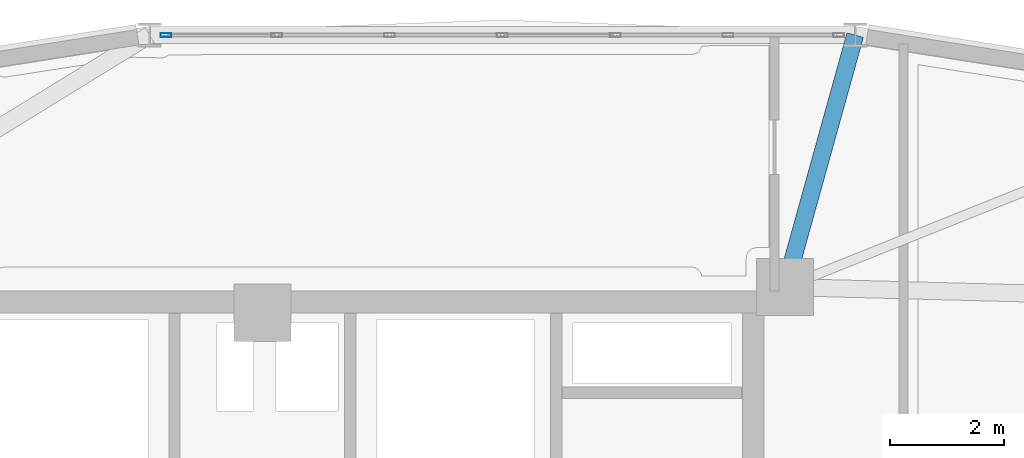
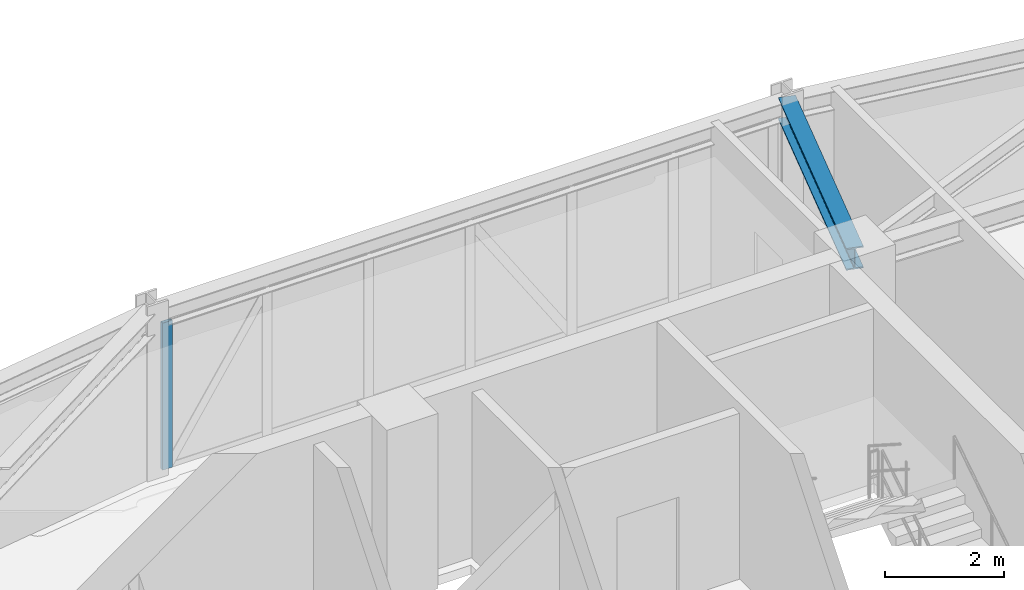
# One storey, part 8 of 18: 1 beam, 1 member, 1 element without a shape of its own.
"""IFC4 building model written with IfcOpenShell, lengths in metres."""

from ifc_helpers import new_model, si_unit, derived_unit, direction, frame, origin, origin_2d, place, context, subcontext, project, spatial, hollow_rectangle, i_section, extrude, source, transform, mapped, material, layer, layer_set, material_profile, profile_set, type_object, element, aggregate, save


model = new_model("IFC4")

# Units and contexts
model_context = context("Model", 3, precision=1e-05, world=origin(), true_north=direction((0.0, 1.0)))
body_context = subcontext(model_context, "Body", "Model", "MODEL_VIEW")
ifc_project = project(units=[si_unit("LENGTHUNIT", "METRE"), si_unit("AREAUNIT", "SQUARE_METRE"), si_unit("VOLUMEUNIT", "CUBIC_METRE"), si_unit("PLANEANGLEUNIT", "RADIAN"), si_unit("MASSUNIT", "GRAM", prefix="KILO"), derived_unit("THERMALTRANSMITTANCEUNIT", [(si_unit("POWERUNIT", "WATT"), 1), (si_unit("LENGTHUNIT", "METRE"), -2), (si_unit("THERMODYNAMICTEMPERATUREUNIT", "KELVIN"), -1)])], contexts=[model_context])

# Site, building, storey
site_placement = place(None, origin())
site = spatial("IfcSite", under=ifc_project, at=site_placement, CompositionType="ELEMENT")
building_placement = place(site_placement, origin())
building = spatial("IfcBuilding", under=site, at=building_placement, Name="Korsvarv Bourse and Concert Hall", CompositionType="ELEMENT")
storey_placement = place(building_placement, frame((0.0, 0.0, 209.39990234375)))
storey = spatial("IfcBuildingStorey", under=building, at=storey_placement, Name="L54", CompositionType="ELEMENT", Elevation=209.39990234375)

# Beam
ifc_material_1 = material(Name="Steel S355", Category="steel")
ifc_material_profile_1 = material_profile(ifc_material_1, i_section(OverallWidth=0.300048828125, OverallDepth=0.449951171875, WebThickness=0.013916015625, FlangeThickness=0.02587890625, FilletRadius=0.02099609375, at=origin_2d()), Name="HEB 450")
ifc_profile_set_1 = profile_set([ifc_material_profile_1], Name="Steel S355")
beam_type = type_object("IfcBeamType", Name="BM-HEB450", PredefinedType="SPANDREL", material=ifc_profile_set_1)
shared_shape_1 = source(origin(), body_context, "Body", "SweptSolid", [
    extrude(i_section(OverallWidth=0.300048828125, OverallDepth=0.449951171875, WebThickness=0.013916015625, FlangeThickness=0.02587890625, FilletRadius=0.02099609375, at=origin_2d()), origin(), (0.0, 0.0, 1.0), 4.5791015625),
])
beam_placement = place(storey_placement, frame((46.376708984375, 51.66162109375, 3.18505859375), z_axis=(-0.267918841219, -0.963441484741, 0.0), x_axis=(0.963441484741, -0.267918841219, 0.0)))
element("IfcBeam", 1, at=beam_placement, inside=storey, type_object=beam_type, Name="L54 beam B-08", PredefinedType="SPANDREL", context=body_context, shape_type="MappedRepresentation", body=[
    mapped(shared_shape_1, transform((0.0, 0.0, 0.0), scale=1.0)),
])

# Curtain wall, member
ifc_material_2 = material(Name="Anodised aluminium and triple low-E glazing", Category="glass")
ifc_layer = layer(ifc_material_2, 0.199951171875)
ifc_layer_set = layer_set([ifc_layer], Name="Anodised aluminium and triple low-E glazing")
curtain_wall_type = type_object("IfcCurtainWallType", Name="CW-SYS-3", PredefinedType="NOTDEFINED", material=ifc_layer_set)
curtain_wall_placement = place(storey_placement, origin())
curtain_wall = element("IfcCurtainWall", 2, at=curtain_wall_placement, inside=storey, type_object=curtain_wall_type, Name="L54 CW3 curtain wall CW-L54-F03", PredefinedType="NOTDEFINED")
ifc_material_3 = material(Name="Extruded aluminium EN AW-6063 T66", Category="aluminium")
ifc_material_profile_2 = material_profile(ifc_material_3, hollow_rectangle(XDim=0.070068359375, YDim=0.18994140625, WallThickness=0.0048828125, at=origin_2d()), Name="ALU-M 70x190")
ifc_profile_set_2 = profile_set([ifc_material_profile_2], Name="Extruded aluminium EN AW-6063 T66")
member_type = type_object("IfcMemberType", Name="CWM-190", PredefinedType="MULLION", material=ifc_profile_set_2)
shared_shape_2 = source(origin(), body_context, "Body", "SweptSolid", [
    extrude(hollow_rectangle(XDim=0.070068359375, YDim=0.18994140625, WallThickness=0.0048828125, at=origin_2d()), origin(), (0.0, 0.0, 1.0), 3.02001953125),
])
member_placement = place(storey_placement, frame((34.311279296875, 51.66162109375, 0.0), z_axis=(0.0, 0.0, 1.0), x_axis=(0.0, -1.0, 0.0)))
member = element("IfcMember", 3, at=member_placement, type_object=member_type, Name="CW3 mullion 7", PredefinedType="MULLION", context=body_context, shape_type="MappedRepresentation", body=[
    mapped(shared_shape_2, transform((0.0, 0.0, 0.0), scale=1.0)),
])
aggregate(curtain_wall, [member])

save(model, "model.ifc")
